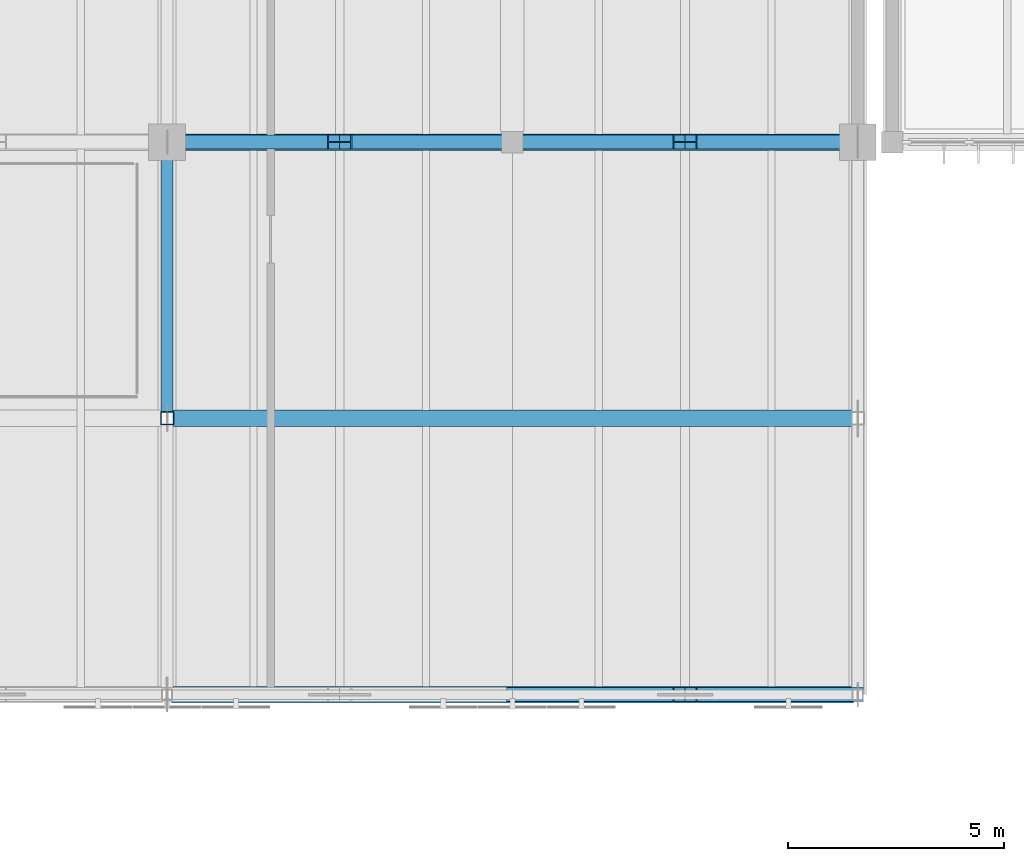
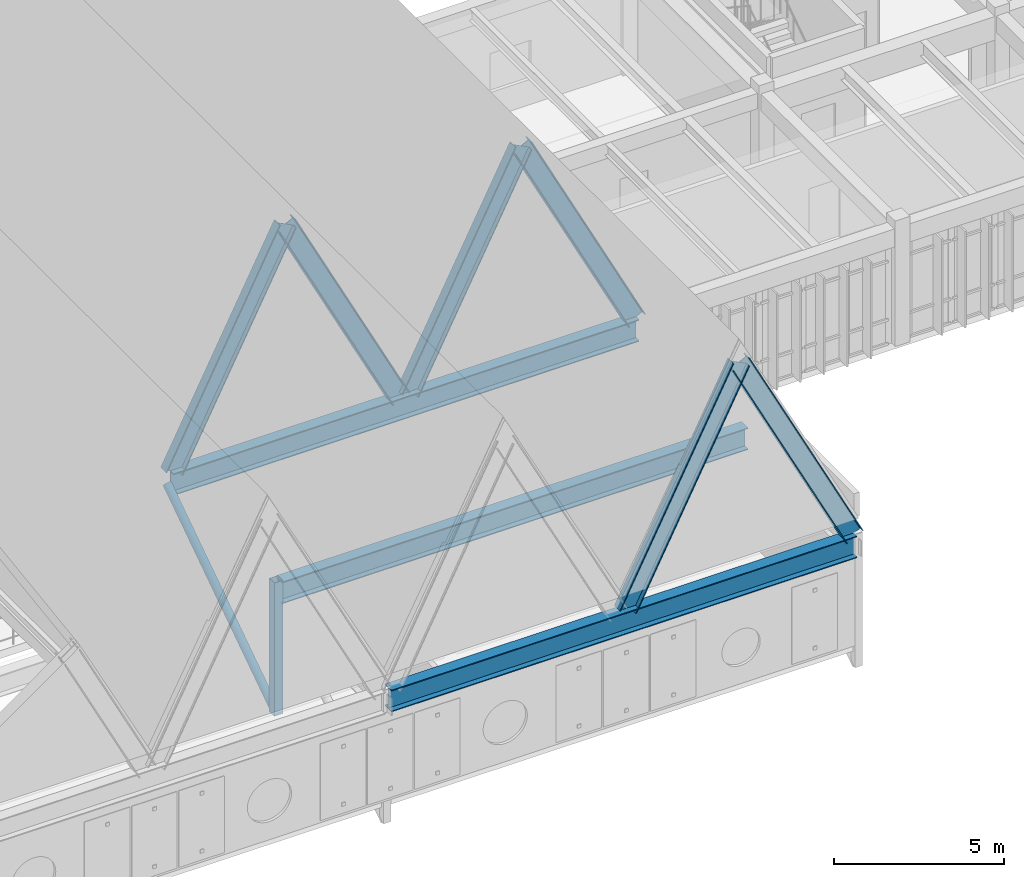
# One storey, part 12 of 72: 8 members, 3 beams.
"""IFC4 building model written with IfcOpenShell, lengths in metres."""

from ifc_helpers import new_model, si_unit, direction, frame, origin, origin_2d, place, context, subcontext, project, spatial, hollow_rectangle, hollow_circle, i_section, extrude, material, material_profile, profile_set, type_object, element, save


model = new_model("IFC4")

# Units and contexts
model_context = context("Model", 3, precision=1e-05, world=origin(), true_north=direction((0.0, 1.0)))
body_context = subcontext(model_context, "Body", "Model", "MODEL_VIEW")
ifc_project = project(units=[si_unit("LENGTHUNIT", "METRE"), si_unit("AREAUNIT", "SQUARE_METRE"), si_unit("VOLUMEUNIT", "CUBIC_METRE"), si_unit("PLANEANGLEUNIT", "RADIAN"), si_unit("MASSUNIT", "GRAM", prefix="KILO")], contexts=[model_context])

# Site, building, storey
site_placement = place(None, origin())
site = spatial("IfcSite", under=ifc_project, at=site_placement, CompositionType="ELEMENT")
building_placement = place(site_placement, origin())
building = spatial("IfcBuilding", under=site, at=building_placement, Name="Tlaxcora Railside Police Headquarters", CompositionType="ELEMENT")
storey_placement = place(building_placement, frame((0.0, 0.0, 13.5)))
storey = spatial("IfcBuildingStorey", under=building, at=storey_placement, Name="L03", CompositionType="ELEMENT", Elevation=13.5)

# Member
ifc_material = material(Name="Steel ASTM A992 Grade 50", Category="steel")
ifc_material_profile_1 = material_profile(ifc_material, hollow_circle(Radius=0.136474609375, WallThickness=0.011962890625, at=origin_2d()), Name="CHS273X12")
ifc_profile_set_1 = profile_set([ifc_material_profile_1], Name="Steel ASTM A992 Grade 50")
member_type_1 = type_object("IfcMemberType", Name="Diagonal Brace Member MB-16", PredefinedType="BRACE", material=ifc_profile_set_1)
member_1_placement = place(storey_placement, frame((86.0, 36.0, 3.52001953125), z_axis=(0.0, -0.828840609912, -0.559484801724), x_axis=(1.0, 0.0, 0.0)))
element("IfcMember", 1, at=member_1_placement, inside=storey, type_object=member_type_1, Name="Truss TR-3 L03 web diagonal 4", PredefinedType="BRACE", context=body_context, shape_type="SweptSolid", body=[
    extrude(hollow_circle(Radius=0.136474609375, WallThickness=0.011962890625, at=origin_2d()), origin(), (0.0, 0.0, 1.0), 7.721435546875),
])

# Beams
ifc_material_profile_2 = material_profile(ifc_material, i_section(OverallWidth=0.384033203125, OverallDepth=0.784912109375, WebThickness=0.019775390625, FlangeThickness=0.033447265625, at=origin_2d()), Name="W30X211")
ifc_profile_set_2 = profile_set([ifc_material_profile_2], Name="Steel ASTM A992 Grade 50")
beam_type = type_object("IfcBeamType", Name="Primary Frame Girder BM-53", PredefinedType="BEAM", material=ifc_profile_set_2)
for number, where, z_axis, x_axis, name in (
    (2, (86.10009765625, 36.0, 3.5673828125), (1.0, 0.0, 0.0), (0.0, 1.0, 0.0), "Sawtooth roof tie girder Y=36.0"),
    (3, (86.10009765625, 29.60009765625, 3.5673828125), (1.0, 0.0, 0.0), (0.0, 1.0, 0.0), "Sawtooth roof tie girder Y=29.6"),
    (4, (86.10009765625, 23.199951171875, 3.5673828125), (1.0, 0.0, 0.0), (0.0, 1.0, 0.0), "Sawtooth roof tie girder Y=23.2"),
):
    element("IfcBeam", number, at=place(storey_placement, frame(where, z_axis=z_axis, x_axis=x_axis)), inside=storey, type_object=beam_type, Name=name, PredefinedType="BEAM", context=body_context, shape_type="SweptSolid", body=[
        extrude(i_section(OverallWidth=0.384033203125, OverallDepth=0.784912109375, WebThickness=0.019775390625, FlangeThickness=0.033447265625, at=origin_2d()), origin(), (0.0, 0.0, 1.0), 15.7998046875),
    ])

# Members
ifc_material_profile_3 = material_profile(ifc_material, i_section(OverallWidth=0.3291015625, OverallDepth=0.635009765625, WebThickness=0.017822265625, FlangeThickness=0.031005859375, at=origin_2d()), Name="W24X162")
ifc_profile_set_3 = profile_set([ifc_material_profile_3], Name="Steel ASTM A992 Grade 50")
member_type_2 = type_object("IfcMemberType", Name="Truss Chord Member MB-35", PredefinedType="CHORD", material=ifc_profile_set_3)
for number, where, z_axis, x_axis, name in (
    (5, (86.14990234375, 36.0, 3.919921875), (0.455243807773, 0.0, 0.890366820745), (0.0, 1.0, 0.0), "Sawtooth rafter 6W Y=36.0"),
    (6, (93.85009765625, 36.0, 3.919921875), (-0.455243807773, 0.0, 0.890366820745), (0.0, -1.0, 0.0), "Sawtooth rafter 6E Y=36.0"),
    (7, (94.14990234375, 23.199951171875, 3.919921875), (0.455243807773, 0.0, 0.890366820745), (0.0, 1.0, 0.0), "Sawtooth rafter 7W Y=23.2"),
    (8, (101.85009765625, 23.199951171875, 3.919921875), (-0.455243807773, 0.0, 0.890366820745), (0.0, -1.0, 0.0), "Sawtooth rafter 7E Y=23.2"),
    (9, (94.14990234375, 36.0, 3.919921875), (0.455243807773, 0.0, 0.890366820745), (0.0, 1.0, 0.0), "Sawtooth rafter 7W Y=36.0"),
    (10, (101.85009765625, 36.0, 3.919921875), (-0.455243807773, 0.0, 0.890366820745), (0.0, -1.0, 0.0), "Sawtooth rafter 7E Y=36.0"),
):
    element("IfcMember", number, at=place(storey_placement, frame(where, z_axis=z_axis, x_axis=x_axis)), inside=storey, type_object=member_type_2, Name=name, PredefinedType="CHORD", context=body_context, shape_type="SweptSolid", body=[
        extrude(i_section(OverallWidth=0.3291015625, OverallDepth=0.635009765625, WebThickness=0.017822265625, FlangeThickness=0.031005859375, at=origin_2d()), origin(), (0.0, 0.0, 1.0), 8.457275390625),
    ])
ifc_material_profile_4 = material_profile(ifc_material, hollow_rectangle(XDim=0.300048828125, YDim=0.300048828125, WallThickness=0.011962890625, at=origin_2d()), Name="HSS300X300X12")
ifc_profile_set_4 = profile_set([ifc_material_profile_4], Name="Steel ASTM A992 Grade 50")
member_type_3 = type_object("IfcMemberType", Name="Truss Vertical Post MB-44", PredefinedType="POST", material=ifc_profile_set_4)
member_2_placement = place(storey_placement, frame((86.0, 29.60009765625, -0.800048828125), z_axis=(0.0, 0.0, 1.0), x_axis=(1.0, 0.0, 0.0)))
element("IfcMember", 11, at=member_2_placement, inside=storey, type_object=member_type_3, Name="Truss TR-3 L03 post Y=29.6", PredefinedType="POST", context=body_context, shape_type="SweptSolid", body=[
    extrude(hollow_rectangle(XDim=0.300048828125, YDim=0.300048828125, WallThickness=0.011962890625, at=origin_2d()), origin(), (0.0, 0.0, 1.0), 4.780029296875),
])

save(model, "model.ifc")
